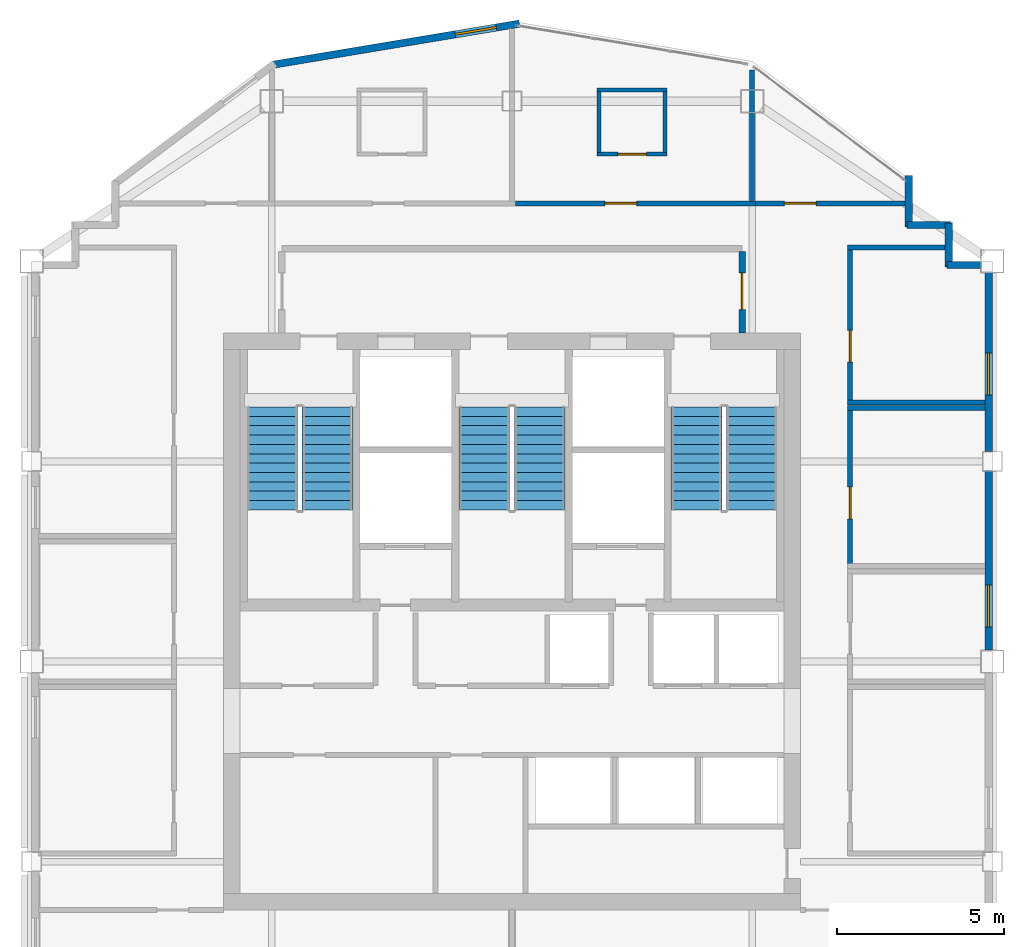
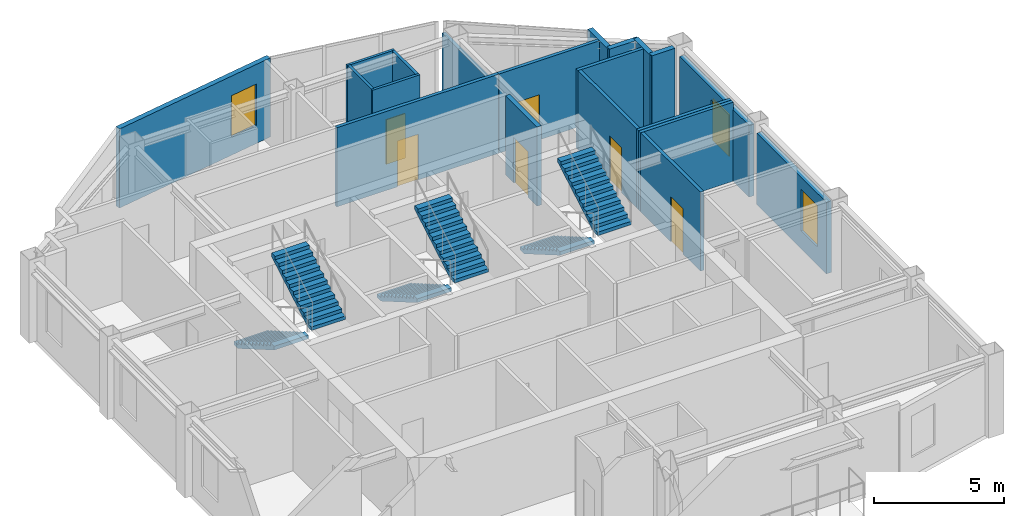
# One storey, part 7 of 8: 20 walls, 6 doors, 6 stair flights, 3 windows, 9 openings, 3 elements without a shape of their own.
"""IFC4 building model written with IfcOpenShell, lengths in metres."""

import ifcopenshell
import ifcopenshell.guid

model = None  # the IFC model being written
_history = None  # IfcOwnerHistory: only IFC2X3 demands one
_inside = {}  # id of a spatial element -> (the spatial element, [elements in it])
_under = {}  # id of a project, library or spatial element -> (it, [spatial elements below it])
_declared = {}  # id of a project -> (the project, [libraries it declares])
_typed = {}  # id of a type object -> (the type object, [elements of that type])
_made_of = {}  # id of a material, layer set ... -> (it, [elements and type objects made of it])


def new_model(schema):
    """Start an empty IFC model of exactly this schema.

    Asked for "IFC4X3", IfcOpenShell would pick the latest addendum, in which some entities
    have other attributes; the version numbers below select the first issue.
    IFC2X3 requires an IfcOwnerHistory on every rooted entity: one is made here for all.
    """
    global model, _history
    if schema == "IFC4X3":
        model = ifcopenshell.file(schema_version=(4, 3, 0, 0))
    else:
        model = ifcopenshell.file(schema=schema)
    _inside.clear()
    _under.clear()
    _declared.clear()
    _typed.clear()
    _made_of.clear()
    _history = None
    if model.schema == "IFC2X3":
        org = make("IfcOrganization", Name="unknown")
        user = make(
            "IfcPersonAndOrganization",
            ThePerson=make("IfcPerson", FamilyName="unknown"),
            TheOrganization=org,
        )
        app = make(
            "IfcApplication",
            ApplicationDeveloper=org,
            Version="unknown",
            ApplicationFullName="unknown",
            ApplicationIdentifier="unknown",
        )
        _history = make(
            "IfcOwnerHistory",
            OwningUser=user,
            OwningApplication=app,
            ChangeAction="ADDED",
            CreationDate=0,
        )
    return model


def make(cls, **values):
    """One entity of the class cls with the attributes given. An attribute that is None is left unset."""
    return model.create_entity(
        cls, **{name: value for name, value in values.items() if value is not None}
    )


def rooted(cls, **values):
    """An entity with a GlobalId (a new one), such as an element, a storey or a relation."""
    return make(cls, GlobalId=ifcopenshell.guid.new(), OwnerHistory=_history, **values)


def si_unit(unit_type, name, prefix=None):
    """IfcSIUnit, for example si_unit("LENGTHUNIT", "METRE", prefix="MILLI")."""
    return make("IfcSIUnit", UnitType=unit_type, Prefix=prefix, Name=name)


def assignment(units):
    """IfcUnitAssignment: the units of a project."""
    return None if units is None else make("IfcUnitAssignment", Units=units)


def point(xyz):
    """IfcCartesianPoint."""
    return None if xyz is None else make("IfcCartesianPoint", Coordinates=xyz)


def direction(xyz):
    """IfcDirection."""
    return None if xyz is None else make("IfcDirection", DirectionRatios=xyz)


def frame(location, z_axis=None, x_axis=None):
    """IfcAxis2Placement3D, a coordinate frame: its origin and axes. An axis left out is left unset."""
    return make(
        "IfcAxis2Placement3D",
        Location=point(location),
        Axis=direction(z_axis),
        RefDirection=direction(x_axis),
    )


def frame_2d(location, x_axis=None):
    """IfcAxis2Placement2D, a coordinate frame in the plane: its origin and x axis."""
    return make(
        "IfcAxis2Placement2D", Location=point(location), RefDirection=direction(x_axis)
    )


def origin():
    """The frame at (0, 0, 0) with its axes left unset."""
    return frame((0.0, 0.0, 0.0))


def place(relative_to, where):
    """IfcLocalPlacement: puts the frame where relative to a parent placement (None: the world)."""
    return make(
        "IfcLocalPlacement", PlacementRelTo=relative_to, RelativePlacement=where
    )


def context(
    kind, dimensions, precision=None, world=None, true_north=None, identifier=None
):
    """IfcGeometricRepresentationContext, for example the 3D "Model" context."""
    return make(
        "IfcGeometricRepresentationContext",
        ContextIdentifier=identifier,
        ContextType=kind,
        CoordinateSpaceDimension=dimensions,
        Precision=precision,
        WorldCoordinateSystem=world,
        TrueNorth=true_north,
    )


def subcontext(parent, identifier, kind, view, scale=None):
    """IfcGeometricRepresentationSubContext, for example "Body" below "Model"."""
    return make(
        "IfcGeometricRepresentationSubContext",
        ContextIdentifier=identifier,
        ContextType=kind,
        ParentContext=parent,
        TargetScale=scale,
        TargetView=view,
    )


def project(units=None, contexts=None):
    """IfcProject with its units and contexts."""
    return rooted(
        "IfcProject",
        Name="project",
        RepresentationContexts=contexts,
        UnitsInContext=assignment(units),
    )


def spatial(cls, under=None, at=None, **own):
    """A site, building, storey or space (cls), placed at a placement, below another one or the project."""
    s = rooted(cls, ObjectPlacement=at, **own)
    if under is not None:
        _under.setdefault(under.id(), (under, []))[1].append(s)
    return s


def polyline(points):
    """IfcPolyline through the points."""
    return make("IfcPolyline", Points=[point(p) for p in points])


def profile(cls, at=None, kind="AREA", **sizes):
    """A parametric profile (cls). Its sizes go by their IFC names, for example OverallWidth=200.0."""
    return make(cls, ProfileType=kind, Position=at, **sizes)


def rectangle(**sizes):
    """IfcRectangleProfileDef."""
    return profile("IfcRectangleProfileDef", **sizes)


def outline(outer, holes=None, kind="AREA"):
    """IfcArbitraryClosedProfileDef: a profile drawn as a closed curve; with holes, ...WithVoids."""
    if holes is None:
        return make("IfcArbitraryClosedProfileDef", ProfileType=kind, OuterCurve=outer)
    return make(
        "IfcArbitraryProfileDefWithVoids",
        ProfileType=kind,
        OuterCurve=outer,
        InnerCurves=holes,
    )


def extrude(swept, where, along, depth):
    """IfcExtrudedAreaSolid: the profile swept, set in the frame where, extruded along a direction by depth."""
    return make(
        "IfcExtrudedAreaSolid",
        SweptArea=swept,
        Position=where,
        ExtrudedDirection=direction(along),
        Depth=depth,
    )


def shape(context_of_items, identifier, shape_type, items):
    """IfcShapeRepresentation: the items that make up one representation, for example the "Body"."""
    return make(
        "IfcShapeRepresentation",
        ContextOfItems=context_of_items,
        RepresentationIdentifier=identifier,
        RepresentationType=shape_type,
        Items=items,
    )


def material(Name=None, Category=None):
    """IfcMaterial."""
    return make("IfcMaterial", Name=Name, Category=Category)


def layer(
    of_material, thickness, ventilated=None, Name=None, Category=None, Priority=None
):
    """IfcMaterialLayer: one layer of a wall or slab, of a material (None: an air gap)."""
    return make(
        "IfcMaterialLayer",
        Material=of_material,
        LayerThickness=thickness,
        IsVentilated=ventilated,
        Name=Name,
        Category=Category,
        Priority=Priority,
    )


def layer_set(layers, Name=None):
    """IfcMaterialLayerSet."""
    return make("IfcMaterialLayerSet", MaterialLayers=layers, LayerSetName=Name)


def made_of(thing, what):
    """Note that an element or type object is made of a material, layer set ...; save() writes the relation."""
    if what is not None:
        _made_of.setdefault(what.id(), (what, []))[1].append(thing)
    return thing


def type_object(cls, material=None, **own):
    """A type object (cls), such as IfcWallType, which elements share."""
    return made_of(rooted(cls, **own), material)


def element(
    cls,
    number,
    at=None,
    inside=None,
    cuts=None,
    type_object=None,
    material=None,
    context=None,
    identifier="Body",
    shape_type=None,
    held_by="IfcProductDefinitionShape",
    body=None,
    shapes=None,
    **own,
):
    """One element of the class cls, such as IfcWall. Its Tag is "e" and its number.

    at: its placement. inside: the storey or other place that contains it. cuts: it is an
    opening in that element (IfcRelVoidsElement). A single representation is given by context,
    identifier, shape_type and body (its items); several are given by shapes. held_by: the class
    of the entity that holds the representations. save() writes the other relations.
    """
    e = rooted(cls, Tag="e%d" % number, ObjectPlacement=at, **own)
    if body is not None:
        shapes = [shape(context, identifier, shape_type, body)]
    if shapes is not None:
        e.Representation = make(held_by, Representations=shapes)
    if inside is not None:
        _inside.setdefault(inside.id(), (inside, []))[1].append(e)
    if cuts is not None:
        rooted(
            "IfcRelVoidsElement", RelatingBuildingElement=cuts, RelatedOpeningElement=e
        )
    if type_object is not None:
        _typed.setdefault(type_object.id(), (type_object, []))[1].append(e)
    return made_of(e, material)


def fill(opening, filler):
    """IfcRelFillsElement: the door or window that sits in an opening."""
    return rooted(
        "IfcRelFillsElement",
        RelatingOpeningElement=opening,
        RelatedBuildingElement=filler,
    )


def aggregate(whole, parts):
    """IfcRelAggregates: a whole, such as a stair, and the parts it consists of."""
    return rooted("IfcRelAggregates", RelatingObject=whole, RelatedObjects=parts)


def save(model, path):
    """Write the relations noted so far, then the file.

    IfcRelAggregates (storeys below a building ...), IfcRelContainedInSpatialStructure (elements
    in a storey), IfcRelDefinesByType, IfcRelAssociatesMaterial and IfcRelDeclares: one each for
    every whole, place, type object, material and project.
    """
    for whole, parts in _under.values():
        aggregate(whole, parts)
    for where, things in _inside.values():
        rooted(
            "IfcRelContainedInSpatialStructure",
            RelatedElements=things,
            RelatingStructure=where,
        )
    for kind, things in _typed.values():
        rooted("IfcRelDefinesByType", RelatedObjects=things, RelatingType=kind)
    for what, things in _made_of.values():
        rooted("IfcRelAssociatesMaterial", RelatedObjects=things, RelatingMaterial=what)
    for by, libraries in _declared.values():
        rooted("IfcRelDeclares", RelatingContext=by, RelatedDefinitions=libraries)
    model.write(path)


model = new_model("IFC4")

# Units and contexts
model_context = context("Model", 3, precision=1e-05, world=origin(), true_north=direction((0.0, 1.0)))
body_context = subcontext(model_context, "Body", "Model", "MODEL_VIEW")
ifc_project = project(units=[si_unit("LENGTHUNIT", "METRE"), si_unit("AREAUNIT", "SQUARE_METRE"), si_unit("VOLUMEUNIT", "CUBIC_METRE"), si_unit("PLANEANGLEUNIT", "RADIAN"), si_unit("MASSUNIT", "GRAM", prefix="KILO")], contexts=[model_context])

# Site, building, storey
site_placement = place(None, origin())
site = spatial("IfcSite", under=ifc_project, at=site_placement, CompositionType="ELEMENT")
building_placement = place(site_placement, origin())
building = spatial("IfcBuilding", under=site, at=building_placement, Name="Haolan Belvedere Tower", CompositionType="ELEMENT")
storey_placement = place(building_placement, frame((0.0, 0.0, 293.89990234375)))
storey = spatial("IfcBuildingStorey", under=building, at=storey_placement, Name="L74", CompositionType="ELEMENT", Elevation=293.89990234375)

# Wall, opening, window
ifc_material_1 = material(Name="Precast concrete C40/50", Category="concrete")
ifc_layer_1 = layer(ifc_material_1, 0.219970703125, Name="Precast concrete C40/50")
ifc_layer_set_1 = layer_set([ifc_layer_1], Name="Precast concrete C40/50")
wall_type_1 = type_object("IfcWallType", Name="WL-EXT-220", PredefinedType="SOLIDWALL", material=ifc_layer_set_1)
wall_1_placement = place(storey_placement, frame((52.68994140625, 33.94189453125, 0.0), z_axis=(0.0, 0.0, 1.0), x_axis=(0.0, 1.0, 0.0)))
wall_1 = element("IfcWall", 1, at=wall_1_placement, inside=storey, type_object=wall_type_1, Name="L74 pale-metal exterior spandrel wall 3.3", PredefinedType="SOLIDWALL", context=body_context, shape_type="SweptSolid", body=[
    extrude(rectangle(XDim=5.3662109375, YDim=0.219970703125, at=frame_2d((2.68310546875, 0.0))), origin(), (0.0, 0.0, 1.0), 3.364990234375),
])
opening_1_placement = place(wall_1_placement, frame((0.699951171875, 0.0, 0.85009765625)))
opening_1 = element("IfcOpeningElement", 2, at=opening_1_placement, cuts=wall_1, Name="Opening W-04", PredefinedType="OPENING", context=body_context, shape_type="SweptSolid", body=[
    extrude(rectangle(XDim=1.25, YDim=1.949951171875, at=frame_2d((0.625, 0.97509765625))), frame((0.0, 0.119873046875, 0.0), z_axis=(0.0, -1.0, 0.0), x_axis=(1.0, 0.0, 0.0)), (0.0, 0.0, 1.0), 0.239990234375),
])
ifc_material_2 = material(Name="Anodised aluminium 6063-T6 and Low-E glass", Category="aluminium")
window_type = type_object("IfcWindowType", Name="WN-DECO-Z4", PartitioningType="SINGLE_PANEL", PredefinedType="WINDOW", material=ifc_material_2)
window_1_placement = place(opening_1_placement, origin())
window_1 = element("IfcWindow", 3, at=window_1_placement, inside=storey, type_object=window_type, Name="L74 Art Deco chevron window 1", OverallHeight=1.949951171875, OverallWidth=1.25, PartitioningType="SINGLE_PANEL", PredefinedType="WINDOW", context=body_context, shape_type="SweptSolid", body=[
    extrude(rectangle(XDim=1.25, YDim=1.949951171875, at=frame_2d((0.625, 0.97509765625))), frame((0.0, 0.030029296875, 0.0), z_axis=(0.0, -1.0, 0.0), x_axis=(1.0, 0.0, 0.0)), (0.0, 0.0, 1.0), 0.06005859375),
])
fill(opening_1, window_1)

wall_2_placement = place(storey_placement, frame((52.68994140625, 39.89208984375, 0.0), z_axis=(0.0, 0.0, 1.0), x_axis=(0.0, 1.0, 0.0)))
wall_2 = element("IfcWall", 4, at=wall_2_placement, inside=storey, type_object=wall_type_1, Name="L74 pale-metal exterior spandrel wall 3.4", PredefinedType="SOLIDWALL", context=body_context, shape_type="SweptSolid", body=[
    extrude(rectangle(XDim=5.365966796875, YDim=0.219970703125, at=frame_2d((2.68310546875, 0.0))), origin(), (0.0, 0.0, 1.0), 3.364990234375),
])
opening_2_placement = place(wall_2_placement, frame((1.702880859375, 0.0, 0.85009765625)))
opening_2 = element("IfcOpeningElement", 5, at=opening_2_placement, cuts=wall_2, Name="Opening W-04", PredefinedType="OPENING", context=body_context, shape_type="SweptSolid", body=[
    extrude(rectangle(XDim=1.25, YDim=1.949951171875, at=frame_2d((0.625, 0.97509765625))), frame((0.0, 0.119873046875, 0.0), z_axis=(0.0, -1.0, 0.0), x_axis=(1.0, 0.0, 0.0)), (0.0, 0.0, 1.0), 0.239990234375),
])
window_2_placement = place(opening_2_placement, origin())
window_2 = element("IfcWindow", 6, at=window_2_placement, inside=storey, type_object=window_type, Name="L74 Art Deco chevron window 1", OverallHeight=1.949951171875, OverallWidth=1.25, PartitioningType="SINGLE_PANEL", PredefinedType="WINDOW", context=body_context, shape_type="SweptSolid", body=[
    extrude(rectangle(XDim=1.25, YDim=1.949951171875, at=frame_2d((0.625, 0.97509765625))), frame((0.0, 0.030029296875, 0.0), z_axis=(0.0, -1.0, 0.0), x_axis=(1.0, 0.0, 0.0)), (0.0, 0.0, 1.0), 0.06005859375),
])
fill(opening_2, window_2)

# Walls
wall_3_placement = place(storey_placement, frame((52.4580078125, 45.489990234375, 0.0), z_axis=(0.0, 0.0, 1.0), x_axis=(-1.0, 0.0, 0.0)))
element("IfcWall", 7, at=wall_3_placement, inside=storey, type_object=wall_type_1, Name="L74 pale-metal exterior spandrel wall 4.1", PredefinedType="SOLIDWALL", context=body_context, shape_type="SweptSolid", body=[
    extrude(rectangle(XDim=1.02294921875, YDim=0.219970703125, at=frame_2d((0.511474609375, 0.0))), origin(), (0.0, 0.0, 1.0), 3.72021484375),
])
wall_4_placement = place(storey_placement, frame((51.489990234375, 45.43505859375, 0.0), z_axis=(0.0, 0.0, 1.0), x_axis=(0.0, 1.0, 0.0)))
element("IfcWall", 8, at=wall_4_placement, inside=storey, type_object=wall_type_1, Name="L74 pale-metal exterior spandrel wall 5.1", PredefinedType="SOLIDWALL", context=body_context, shape_type="SweptSolid", body=[
    extrude(rectangle(XDim=1.31005859375, YDim=0.219970703125, at=frame_2d((0.655029296875, 0.0))), origin(), (0.0, 0.0, 1.0), 3.72021484375),
])
wall_5_placement = place(storey_placement, frame((51.544921875, 46.68994140625, 0.0), z_axis=(0.0, 0.0, 1.0), x_axis=(-1.0, 0.0, 0.0)))
element("IfcWall", 9, at=wall_5_placement, inside=storey, type_object=wall_type_1, Name="L74 pale-metal exterior spandrel wall 6.1", PredefinedType="SOLIDWALL", context=body_context, shape_type="SweptSolid", body=[
    extrude(rectangle(XDim=1.309814453125, YDim=0.219970703125, at=frame_2d((0.65478515625, 0.0))), origin(), (0.0, 0.0, 1.0), 3.72021484375),
])
wall_6_placement = place(storey_placement, frame((50.2900390625, 46.635009765625, 0.0), z_axis=(0.0, 0.0, 1.0), x_axis=(0.0, 1.0, 0.0)))
element("IfcWall", 10, at=wall_6_placement, inside=storey, type_object=wall_type_1, Name="L74 pale-metal exterior spandrel wall 7.1", PredefinedType="SOLIDWALL", context=body_context, shape_type="SweptSolid", body=[
    extrude(rectangle(XDim=1.534912109375, YDim=0.219970703125, at=frame_2d((0.767578125, 0.0))), origin(), (0.0, 0.0, 1.0), 3.72021484375),
])

# Wall, opening, window
wall_7_placement = place(storey_placement, frame((38.621826171875, 52.7255859375, 0.0), z_axis=(0.0, 0.0, 1.0), x_axis=(-0.986390420428, -0.164420006349, 0.0)))
wall_7 = element("IfcWall", 11, at=wall_7_placement, inside=storey, type_object=wall_type_1, Name="L74 pale-metal exterior spandrel wall 10.1", PredefinedType="SOLIDWALL", context=body_context, shape_type="SweptSolid", body=[
    extrude(rectangle(XDim=7.5341796875, YDim=0.219970703125, at=frame_2d((3.76708984375, 0.0))), origin(), (0.0, 0.0, 1.0), 3.72021484375),
])
opening_3_placement = place(wall_7_placement, frame((0.699951171875, 0.0, 0.85009765625)))
opening_3 = element("IfcOpeningElement", 12, at=opening_3_placement, cuts=wall_7, Name="Opening W-04", PredefinedType="OPENING", context=body_context, shape_type="SweptSolid", body=[
    extrude(rectangle(XDim=1.25, YDim=1.949951171875, at=frame_2d((0.625, 0.97509765625))), frame((0.0, 0.119873046875, 0.0), z_axis=(0.0, -1.0, 0.0), x_axis=(1.0, 0.0, 0.0)), (0.0, 0.0, 1.0), 0.239990234375),
])
window_3_placement = place(opening_3_placement, origin())
window_3 = element("IfcWindow", 13, at=window_3_placement, inside=storey, type_object=window_type, Name="L74 Art Deco chevron window 1", OverallHeight=1.949951171875, OverallWidth=1.25, PartitioningType="SINGLE_PANEL", PredefinedType="WINDOW", context=body_context, shape_type="SweptSolid", body=[
    extrude(rectangle(XDim=1.25, YDim=1.949951171875, at=frame_2d((0.625, 0.97509765625))), frame((0.0, 0.030029296875, 0.0), z_axis=(0.0, -1.0, 0.0), x_axis=(1.0, 0.0, 0.0)), (0.0, 0.0, 1.0), 0.06005859375),
])
fill(opening_3, window_3)

# Wall, opening, door
ifc_material_3 = material(Name="Concrete C40/50", Category="concrete")
ifc_layer_2 = layer(ifc_material_3, 0.199951171875, Name="Concrete C40/50")
ifc_layer_set_2 = layer_set([ifc_layer_2], Name="Concrete C40/50")
wall_type_2 = type_object("IfcWallType", Name="WL-FIRE-200", PredefinedType="SOLIDWALL", material=ifc_layer_set_2)
wall_8_placement = place(storey_placement, frame((45.300048828125, 43.449951171875, 0.0), z_axis=(0.0, 0.0, 1.0), x_axis=(0.0, 1.0, 0.0)))
wall_8 = element("IfcWall", 14, at=wall_8_placement, inside=storey, type_object=wall_type_2, Name="L74 interior partition IW-L74-FFL-E", PredefinedType="SOLIDWALL", context=body_context, shape_type="SweptSolid", body=[
    extrude(rectangle(XDim=2.445068359375, YDim=0.199951171875, at=frame_2d((1.22265625, 0.0))), origin(), (0.0, 0.0, 1.0), 3.72021484375),
])
opening_4_placement = place(wall_8_placement, frame((0.699951171875, 0.0, 0.0)))
opening_4 = element("IfcOpeningElement", 15, at=opening_4_placement, cuts=wall_8, Name="Opening FD-03", PredefinedType="OPENING", context=body_context, shape_type="SweptSolid", body=[
    extrude(rectangle(XDim=1.10009765625, YDim=2.14990234375, at=frame_2d((0.550048828125, 1.074951171875))), frame((0.0, 0.10986328125, 0.0), z_axis=(0.0, -1.0, 0.0), x_axis=(1.0, 0.0, 0.0)), (0.0, 0.0, 1.0), 0.219970703125),
])
ifc_material_4 = material(Name="Galvanised fire-rated steel", Category="steel")
door_type_1 = type_object("IfcDoorType", Name="DR-FD90-1100", OperationType="NOTDEFINED", PredefinedType="DOOR", material=ifc_material_4)
door_1_placement = place(opening_4_placement, origin())
door_1 = element("IfcDoor", 16, at=door_1_placement, inside=storey, type_object=door_type_1, Name="L74 door ID-L74-FFL-DE", OperationType="SINGLE_SWING_RIGHT", OverallHeight=2.14990234375, OverallWidth=1.10009765625, PredefinedType="DOOR", context=body_context, shape_type="SweptSolid", body=[
    extrude(rectangle(XDim=1.10009765625, YDim=2.14990234375, at=frame_2d((0.550048828125, 1.074951171875))), frame((0.0, 0.02490234375, 0.0), z_axis=(0.0, -1.0, 0.0), x_axis=(1.0, 0.0, 0.0)), (0.0, 0.0, 1.0), 0.050048828125),
])
fill(opening_4, door_1)

# Wall
ifc_material_5 = material(Name="Double gypsum acoustic stud partition", Category="masonry")
ifc_layer_3 = layer(ifc_material_5, 0.14990234375, Name="Double gypsum acoustic stud partition")
ifc_layer_set_3 = layer_set([ifc_layer_3], Name="Double gypsum acoustic stud partition")
wall_type_3 = type_object("IfcWallType", Name="WL-PART-150", PredefinedType="PARTITIONING", material=ifc_layer_set_3)
wall_9_placement = place(storey_placement, frame((48.4599609375, 41.199951171875, 0.0), z_axis=(0.0, 0.0, 1.0), x_axis=(1.0, 0.0, 0.0)))
element("IfcWall", 17, at=wall_9_placement, inside=storey, type_object=wall_type_3, Name="L74 interior partition IW-L74-STY-N", PredefinedType="PARTITIONING", context=body_context, shape_type="SweptSolid", body=[
    extrude(rectangle(XDim=4.1279296875, YDim=0.14990234375, at=frame_2d((2.06396484375, 0.0))), origin(), (0.0, 0.0, 1.0), 3.72021484375),
])

# Wall, opening, door
wall_10_placement = place(storey_placement, frame((48.5400390625, 36.52001953125, 0.0), z_axis=(0.0, 0.0, 1.0), x_axis=(0.0, 1.0, 0.0)))
wall_10 = element("IfcWall", 18, at=wall_10_placement, inside=storey, type_object=wall_type_3, Name="L74 interior partition IW-L74-STY-W", PredefinedType="PARTITIONING", context=body_context, shape_type="SweptSolid", body=[
    extrude(rectangle(XDim=4.619873046875, YDim=0.14990234375, at=frame_2d((2.31005859375, 0.0))), origin(), (0.0, 0.0, 1.0), 3.72021484375),
])
opening_5_placement = place(wall_10_placement, frame((1.360107421875, 0.0, 0.0)))
opening_5 = element("IfcOpeningElement", 19, at=opening_5_placement, cuts=wall_10, Name="Opening ID-03", PredefinedType="OPENING", context=body_context, shape_type="SweptSolid", body=[
    extrude(rectangle(XDim=0.949951171875, YDim=2.1201171875, at=frame_2d((0.47509765625, 1.06005859375))), frame((0.0, 0.0849609375, 0.0), z_axis=(0.0, -1.0, 0.0), x_axis=(1.0, 0.0, 0.0)), (0.0, 0.0, 1.0), 0.169921875),
])
ifc_material_6 = material(Name="Painted solid-core timber", Category="wood")
door_type_2 = type_object("IfcDoorType", Name="DR-INT-950", OperationType="NOTDEFINED", PredefinedType="DOOR", material=ifc_material_6)
door_2_placement = place(opening_5_placement, origin())
door_2 = element("IfcDoor", 20, at=door_2_placement, inside=storey, type_object=door_type_2, Name="L74 door ID-L74-STY", OperationType="SINGLE_SWING_RIGHT", OverallHeight=2.1201171875, OverallWidth=0.949951171875, PredefinedType="DOOR", context=body_context, shape_type="SweptSolid", body=[
    extrude(rectangle(XDim=0.949951171875, YDim=2.1201171875, at=frame_2d((0.47509765625, 1.06005859375))), frame((0.0, 0.02490234375, 0.0), z_axis=(0.0, -1.0, 0.0), x_axis=(1.0, 0.0, 0.0)), (0.0, 0.0, 1.0), 0.050048828125),
])
fill(opening_5, door_2)

# Walls
wall_11_placement = place(storey_placement, frame((48.4599609375, 46.02001953125, 0.0), z_axis=(0.0, 0.0, 1.0), x_axis=(1.0, 0.0, 0.0)))
element("IfcWall", 21, at=wall_11_placement, inside=storey, type_object=wall_type_3, Name="L74 interior partition IW-L74-PNT-N", PredefinedType="PARTITIONING", context=body_context, shape_type="SweptSolid", body=[
    extrude(rectangle(XDim=2.927978515625, YDim=0.14990234375, at=frame_2d((1.4638671875, 0.0))), origin(), (0.0, 0.0, 1.0), 3.72021484375),
])
wall_12_placement = place(storey_placement, frame((48.4599609375, 41.360107421875, 0.0), z_axis=(0.0, 0.0, 1.0), x_axis=(1.0, 0.0, 0.0)))
element("IfcWall", 22, at=wall_12_placement, inside=storey, type_object=wall_type_3, Name="L74 interior partition IW-L74-PNT-S", PredefinedType="PARTITIONING", context=body_context, shape_type="SweptSolid", body=[
    extrude(rectangle(XDim=4.1279296875, YDim=0.14990234375, at=frame_2d((2.06396484375, 0.0))), origin(), (0.0, 0.0, 1.0), 3.72021484375),
])

# Wall, opening, door
wall_13_placement = place(storey_placement, frame((48.5400390625, 41.419921875, 0.0), z_axis=(0.0, 0.0, 1.0), x_axis=(0.0, 1.0, 0.0)))
wall_13 = element("IfcWall", 23, at=wall_13_placement, inside=storey, type_object=wall_type_3, Name="L74 interior partition IW-L74-PNT-W", PredefinedType="PARTITIONING", context=body_context, shape_type="SweptSolid", body=[
    extrude(rectangle(XDim=4.5400390625, YDim=0.14990234375, at=frame_2d((2.27001953125, 0.0))), origin(), (0.0, 0.0, 1.0), 3.72021484375),
])
opening_6_placement = place(wall_13_placement, frame((1.159912109375, 0.0, 0.0)))
opening_6 = element("IfcOpeningElement", 24, at=opening_6_placement, cuts=wall_13, Name="Opening ID-03", PredefinedType="OPENING", context=body_context, shape_type="SweptSolid", body=[
    extrude(rectangle(XDim=0.949951171875, YDim=2.1201171875, at=frame_2d((0.47509765625, 1.06005859375))), frame((0.0, 0.0849609375, 0.0), z_axis=(0.0, -1.0, 0.0), x_axis=(1.0, 0.0, 0.0)), (0.0, 0.0, 1.0), 0.169921875),
])
door_3_placement = place(opening_6_placement, origin())
door_3 = element("IfcDoor", 25, at=door_3_placement, inside=storey, type_object=door_type_2, Name="L74 door ID-L74-PNT", OperationType="SINGLE_SWING_LEFT", OverallHeight=2.1201171875, OverallWidth=0.949951171875, PredefinedType="DOOR", context=body_context, shape_type="SweptSolid", body=[
    extrude(rectangle(XDim=0.949951171875, YDim=2.1201171875, at=frame_2d((0.47509765625, 1.06005859375))), frame((0.0, 0.02490234375, 0.0), z_axis=(0.0, -1.0, 0.0), x_axis=(1.0, 0.0, 0.0)), (0.0, 0.0, 1.0), 0.050048828125),
])
fill(opening_6, door_3)

wall_14_placement = place(storey_placement, frame((38.501953125, 47.340087890625, 0.0), z_axis=(0.0, 0.0, 1.0), x_axis=(1.0, 0.0, 0.0)))
wall_14 = element("IfcWall", 26, at=wall_14_placement, inside=storey, type_object=wall_type_3, Name="L74 interior partition IW-L74-KN3-S", PredefinedType="PARTITIONING", context=body_context, shape_type="SweptSolid", body=[
    extrude(rectangle(XDim=7.197998046875, YDim=0.14990234375, at=frame_2d((3.59912109375, 0.0))), origin(), (0.0, 0.0, 1.0), 3.72021484375),
])
opening_7_placement = place(wall_14_placement, frame((2.684814453125, 0.0, 0.0)))
opening_7 = element("IfcOpeningElement", 27, at=opening_7_placement, cuts=wall_14, Name="Opening ID-02", PredefinedType="OPENING", context=body_context, shape_type="SweptSolid", body=[
    extrude(rectangle(XDim=0.949951171875, YDim=2.14990234375, at=frame_2d((0.47509765625, 1.074951171875))), frame((0.0, 0.0849609375, 0.0), z_axis=(0.0, -1.0, 0.0), x_axis=(1.0, 0.0, 0.0)), (0.0, 0.0, 1.0), 0.169921875),
])
ifc_material_7 = material(Name="Acoustic oak veneer fire-rated timber", Category="wood")
door_type_3 = type_object("IfcDoorType", Name="DR-GUEST-950", OperationType="NOTDEFINED", PredefinedType="DOOR", material=ifc_material_7)
door_4_placement = place(opening_7_placement, origin())
door_4 = element("IfcDoor", 28, at=door_4_placement, inside=storey, type_object=door_type_3, Name="L74 door ID-L74-KN3-ENT", OperationType="SINGLE_SWING_RIGHT", OverallHeight=2.14990234375, OverallWidth=0.949951171875, PredefinedType="DOOR", context=body_context, shape_type="SweptSolid", body=[
    extrude(rectangle(XDim=0.949951171875, YDim=2.14990234375, at=frame_2d((0.47509765625, 1.074951171875))), frame((0.0, 0.02490234375, 0.0), z_axis=(0.0, -1.0, 0.0), x_axis=(1.0, 0.0, 0.0)), (0.0, 0.0, 1.0), 0.050048828125),
])
fill(opening_7, door_4)

# Wall
wall_15_placement = place(storey_placement, frame((45.60009765625, 47.39990234375, 0.0), z_axis=(0.0, 0.0, 1.0), x_axis=(0.0, 1.0, 0.0)))
element("IfcWall", 29, at=wall_15_placement, inside=storey, type_object=wall_type_3, Name="L74 interior partition IW-L74-KN3-E", PredefinedType="PARTITIONING", context=body_context, shape_type="SweptSolid", body=[
    extrude(rectangle(XDim=3.93505859375, YDim=0.14990234375, at=frame_2d((1.967529296875, 0.0))), origin(), (0.0, 0.0, 1.0), 3.255126953125),
])

# Wall, opening, door
wall_16_placement = place(storey_placement, frame((45.701904296875, 47.340087890625, 0.0), z_axis=(0.0, 0.0, 1.0), x_axis=(1.0, 0.0, 0.0)))
wall_16 = element("IfcWall", 30, at=wall_16_placement, inside=storey, type_object=wall_type_3, Name="L74 interior partition IW-L74-KN4-S", PredefinedType="PARTITIONING", context=body_context, shape_type="SweptSolid", body=[
    extrude(rectangle(XDim=4.486083984375, YDim=0.14990234375, at=frame_2d((2.2431640625, 0.0))), origin(), (0.0, 0.0, 1.0), 3.72021484375),
])
opening_8_placement = place(wall_16_placement, frame((0.863037109375, 0.0, 0.0)))
opening_8 = element("IfcOpeningElement", 31, at=opening_8_placement, cuts=wall_16, Name="Opening ID-03", PredefinedType="OPENING", context=body_context, shape_type="SweptSolid", body=[
    extrude(rectangle(XDim=0.949951171875, YDim=2.1201171875, at=frame_2d((0.47509765625, 1.06005859375))), frame((0.0, 0.0849609375, 0.0), z_axis=(0.0, -1.0, 0.0), x_axis=(1.0, 0.0, 0.0)), (0.0, 0.0, 1.0), 0.169921875),
])
door_5_placement = place(opening_8_placement, origin())
door_5 = element("IfcDoor", 32, at=door_5_placement, inside=storey, type_object=door_type_2, Name="L74 door ID-L74-KN4", OperationType="SINGLE_SWING_LEFT", OverallHeight=2.1201171875, OverallWidth=0.949951171875, PredefinedType="DOOR", context=body_context, shape_type="SweptSolid", body=[
    extrude(rectangle(XDim=0.949951171875, YDim=2.1201171875, at=frame_2d((0.47509765625, 1.06005859375))), frame((0.0, 0.02490234375, 0.0), z_axis=(0.0, -1.0, 0.0), x_axis=(1.0, 0.0, 0.0)), (0.0, 0.0, 1.0), 0.050048828125),
])
fill(opening_8, door_5)

# Wall
ifc_material_8 = material(Name="Moisture-resistant gypsum tile partition", Category="masonry")
ifc_layer_4 = layer(ifc_material_8, 0.1201171875, Name="Moisture-resistant gypsum tile partition")
ifc_layer_set_4 = layer_set([ifc_layer_4], Name="Moisture-resistant gypsum tile partition")
wall_type_4 = type_object("IfcWallType", Name="WL-WET-120", PredefinedType="PARTITIONING", material=ifc_layer_set_4)
wall_17_placement = place(storey_placement, frame((40.949951171875, 50.72998046875, 0.0), z_axis=(0.0, 0.0, 1.0), x_axis=(1.0, 0.0, 0.0)))
element("IfcWall", 33, at=wall_17_placement, inside=storey, type_object=wall_type_4, Name="L74 interior partition IW-L74-KN3-BN", PredefinedType="PARTITIONING", context=body_context, shape_type="SweptSolid", body=[
    extrude(rectangle(XDim=2.10009765625, YDim=0.1201171875, at=frame_2d((1.050048828125, 0.0))), origin(), (0.0, 0.0, 1.0), 3.72021484375),
])

# Wall, opening, door
wall_18_placement = place(storey_placement, frame((40.949951171875, 48.81005859375, 0.0), z_axis=(0.0, 0.0, 1.0), x_axis=(1.0, 0.0, 0.0)))
wall_18 = element("IfcWall", 34, at=wall_18_placement, inside=storey, type_object=wall_type_4, Name="L74 interior partition IW-L74-KN3-BS", PredefinedType="PARTITIONING", context=body_context, shape_type="SweptSolid", body=[
    extrude(rectangle(XDim=2.10009765625, YDim=0.1201171875, at=frame_2d((1.050048828125, 0.0))), origin(), (0.0, 0.0, 1.0), 3.72021484375),
])
opening_9_placement = place(wall_18_placement, frame((0.625, 0.0, 0.0)))
opening_9 = element("IfcOpeningElement", 35, at=opening_9_placement, cuts=wall_18, Name="Opening ID-05", PredefinedType="OPENING", context=body_context, shape_type="SweptSolid", body=[
    extrude(rectangle(XDim=0.85009765625, YDim=2.10009765625, at=frame_2d((0.425048828125, 1.050048828125))), frame((0.0, 0.070068359375, 0.0), z_axis=(0.0, -1.0, 0.0), x_axis=(1.0, 0.0, 0.0)), (0.0, 0.0, 1.0), 0.14013671875),
])
ifc_material_9 = material(Name="Moisture-resistant lacquered timber", Category="wood")
door_type_4 = type_object("IfcDoorType", Name="DR-BATH-850", OperationType="NOTDEFINED", PredefinedType="DOOR", material=ifc_material_9)
door_6_placement = place(opening_9_placement, origin())
door_6 = element("IfcDoor", 36, at=door_6_placement, inside=storey, type_object=door_type_4, Name="L74 door ID-L74-KN3-BATH", OperationType="SINGLE_SWING_LEFT", OverallHeight=2.10009765625, OverallWidth=0.85009765625, PredefinedType="DOOR", context=body_context, shape_type="SweptSolid", body=[
    extrude(rectangle(XDim=0.85009765625, YDim=2.10009765625, at=frame_2d((0.425048828125, 1.050048828125))), frame((0.0, 0.02490234375, 0.0), z_axis=(0.0, -1.0, 0.0), x_axis=(1.0, 0.0, 0.0)), (0.0, 0.0, 1.0), 0.050048828125),
])
fill(opening_9, door_6)

# Walls
for number, where, z_axis, x_axis, name in (
    (37, (41.010009765625, 48.85498046875, 0.0), (0.0, 0.0, 1.0), (0.0, 1.0, 0.0), "L74 interior partition IW-L74-KN3-BW"),
    (38, (42.989990234375, 48.85498046875, 0.0), (0.0, 0.0, 1.0), (0.0, 1.0, 0.0), "L74 interior partition IW-L74-KN3-BE"),
):
    element("IfcWall", number, at=place(storey_placement, frame(where, z_axis=z_axis, x_axis=x_axis)), inside=storey, type_object=wall_type_4, Name=name, PredefinedType="PARTITIONING", context=body_context, shape_type="SweptSolid", body=[
        extrude(rectangle(XDim=1.830078125, YDim=0.1201171875, at=frame_2d((0.9150390625, 0.0))), origin(), (0.0, 0.0, 1.0), 3.72021484375),
    ])

# Stair, stair flights
stair_type = type_object("IfcStairType", Name="STR-DL-24R-163", PredefinedType="HALF_TURN_STAIR", material=ifc_material_3)
stair_1_placement = place(storey_placement, origin())
stair_1 = element("IfcStair", 39, at=stair_1_placement, inside=storey, type_object=stair_type, Name="L74 Smokeproof Core Exit Stair ST1", PredefinedType="HALF_TURN_STAIR")
stair_flight_type = type_object("IfcStairFlightType", Name="SFL-DL-12R-163", PredefinedType="STRAIGHT", material=ifc_material_3)
stair_flight_1_placement = place(storey_placement, frame((31.2099609375, 41.22998046875, 0.0), z_axis=(0.0, 0.0, 1.0), x_axis=(0.0, -1.0, 0.0)))
stair_flight_1 = element("IfcStairFlight", 40, at=stair_flight_1_placement, type_object=stair_flight_type, Name="ST1 flight 1", NumberOfRisers=12, NumberOfTreads=11, PredefinedType="STRAIGHT", RiserHeight=0.1625, TreadLength=0.28, context=body_context, shape_type="SweptSolid", body=[
    extrude(outline(polyline([(0.0, 0.0), (0.0, 0.16259765625), (0.280029296875, 0.16259765625), (0.280029296875, 0.324951171875), (0.56005859375, 0.324951171875), (0.56005859375, 0.487548828125), (0.840087890625, 0.487548828125), (0.840087890625, 0.64990234375), (1.1201171875, 0.64990234375), (1.1201171875, 0.8125), (1.39990234375, 0.8125), (1.39990234375, 0.97509765625), (1.679931640625, 0.97509765625), (1.679931640625, 1.137451171875), (1.9599609375, 1.137451171875), (1.9599609375, 1.300048828125), (2.239990234375, 1.300048828125), (2.239990234375, 1.46240234375), (2.52001953125, 1.46240234375), (2.52001953125, 1.625), (2.800048828125, 1.625), (2.800048828125, 1.78759765625), (3.080078125, 1.78759765625), (3.080078125, 1.949951171875), (3.080078125, 1.6142578125), (0.298583984375, 0.0), (0.0, 0.0)])), frame((0.0, 0.760009765625, 0.0), z_axis=(0.0, -1.0, 0.0), x_axis=(1.0, 0.0, 0.0)), (0.0, 0.0, 1.0), 1.52001953125),
])
stair_flight_2_placement = place(storey_placement, frame((32.8701171875, 38.14990234375, 1.9501953125), z_axis=(0.0, 0.0, 1.0), x_axis=(0.0, 1.0, 0.0)))
stair_flight_2 = element("IfcStairFlight", 41, at=stair_flight_2_placement, type_object=stair_flight_type, Name="ST1 flight 2", NumberOfRisers=12, NumberOfTreads=11, PredefinedType="STRAIGHT", RiserHeight=0.1625, TreadLength=0.28, context=body_context, shape_type="SweptSolid", body=[
    extrude(outline(polyline([(0.0, 0.0), (0.0, 0.16259765625), (0.280029296875, 0.16259765625), (0.280029296875, 0.324951171875), (0.56005859375, 0.324951171875), (0.56005859375, 0.487548828125), (0.840087890625, 0.487548828125), (0.840087890625, 0.64990234375), (1.1201171875, 0.64990234375), (1.1201171875, 0.8125), (1.39990234375, 0.8125), (1.39990234375, 0.97509765625), (1.679931640625, 0.97509765625), (1.679931640625, 1.137451171875), (1.9599609375, 1.137451171875), (1.9599609375, 1.300048828125), (2.239990234375, 1.300048828125), (2.239990234375, 1.46240234375), (2.52001953125, 1.46240234375), (2.52001953125, 1.625), (2.800048828125, 1.625), (2.800048828125, 1.78759765625), (3.080078125, 1.78759765625), (3.080078125, 1.949951171875), (3.080078125, 1.6142578125), (0.298583984375, 0.0), (0.0, 0.0)])), frame((0.0, 0.760009765625, 0.0), z_axis=(0.0, -1.0, 0.0), x_axis=(1.0, 0.0, 0.0)), (0.0, 0.0, 1.0), 1.52001953125),
])
aggregate(stair_1, [stair_flight_1, stair_flight_2])

stair_2_placement = place(storey_placement, origin())
stair_2 = element("IfcStair", 42, at=stair_2_placement, inside=storey, type_object=stair_type, Name="L74 Smokeproof Core Exit Stair ST3", PredefinedType="HALF_TURN_STAIR")
stair_flight_3_placement = place(storey_placement, frame((37.570068359375, 41.22998046875, 0.0), z_axis=(0.0, 0.0, 1.0), x_axis=(0.0, -1.0, 0.0)))
stair_flight_3 = element("IfcStairFlight", 43, at=stair_flight_3_placement, type_object=stair_flight_type, Name="ST3 flight 1", NumberOfRisers=12, NumberOfTreads=11, PredefinedType="STRAIGHT", RiserHeight=0.1625, TreadLength=0.28, context=body_context, shape_type="SweptSolid", body=[
    extrude(outline(polyline([(0.0, 0.0), (0.0, 0.16259765625), (0.280029296875, 0.16259765625), (0.280029296875, 0.324951171875), (0.56005859375, 0.324951171875), (0.56005859375, 0.487548828125), (0.840087890625, 0.487548828125), (0.840087890625, 0.64990234375), (1.1201171875, 0.64990234375), (1.1201171875, 0.8125), (1.39990234375, 0.8125), (1.39990234375, 0.97509765625), (1.679931640625, 0.97509765625), (1.679931640625, 1.137451171875), (1.9599609375, 1.137451171875), (1.9599609375, 1.300048828125), (2.239990234375, 1.300048828125), (2.239990234375, 1.46240234375), (2.52001953125, 1.46240234375), (2.52001953125, 1.625), (2.800048828125, 1.625), (2.800048828125, 1.78759765625), (3.080078125, 1.78759765625), (3.080078125, 1.949951171875), (3.080078125, 1.6142578125), (0.298583984375, 0.0), (0.0, 0.0)])), frame((0.0, 0.760009765625, 0.0), z_axis=(0.0, -1.0, 0.0), x_axis=(1.0, 0.0, 0.0)), (0.0, 0.0, 1.0), 1.52001953125),
])
stair_flight_4_placement = place(storey_placement, frame((39.22998046875, 38.14990234375, 1.9501953125), z_axis=(0.0, 0.0, 1.0), x_axis=(0.0, 1.0, 0.0)))
stair_flight_4 = element("IfcStairFlight", 44, at=stair_flight_4_placement, type_object=stair_flight_type, Name="ST3 flight 2", NumberOfRisers=12, NumberOfTreads=11, PredefinedType="STRAIGHT", RiserHeight=0.1625, TreadLength=0.28, context=body_context, shape_type="SweptSolid", body=[
    extrude(outline(polyline([(0.0, 0.0), (0.0, 0.16259765625), (0.280029296875, 0.16259765625), (0.280029296875, 0.324951171875), (0.56005859375, 0.324951171875), (0.56005859375, 0.487548828125), (0.840087890625, 0.487548828125), (0.840087890625, 0.64990234375), (1.1201171875, 0.64990234375), (1.1201171875, 0.8125), (1.39990234375, 0.8125), (1.39990234375, 0.97509765625), (1.679931640625, 0.97509765625), (1.679931640625, 1.137451171875), (1.9599609375, 1.137451171875), (1.9599609375, 1.300048828125), (2.239990234375, 1.300048828125), (2.239990234375, 1.46240234375), (2.52001953125, 1.46240234375), (2.52001953125, 1.625), (2.800048828125, 1.625), (2.800048828125, 1.78759765625), (3.080078125, 1.78759765625), (3.080078125, 1.949951171875), (3.080078125, 1.6142578125), (0.298583984375, 0.0), (0.0, 0.0)])), frame((0.0, 0.760009765625, 0.0), z_axis=(0.0, -1.0, 0.0), x_axis=(1.0, 0.0, 0.0)), (0.0, 0.0, 1.0), 1.52001953125),
])
aggregate(stair_2, [stair_flight_3, stair_flight_4])

stair_3_placement = place(storey_placement, origin())
stair_3 = element("IfcStair", 45, at=stair_3_placement, inside=storey, type_object=stair_type, Name="L74 Smokeproof Core Exit Stair ST2", PredefinedType="HALF_TURN_STAIR")
stair_flight_5_placement = place(storey_placement, frame((43.929931640625, 41.22998046875, 0.0), z_axis=(0.0, 0.0, 1.0), x_axis=(0.0, -1.0, 0.0)))
stair_flight_5 = element("IfcStairFlight", 46, at=stair_flight_5_placement, type_object=stair_flight_type, Name="ST2 flight 1", NumberOfRisers=12, NumberOfTreads=11, PredefinedType="STRAIGHT", RiserHeight=0.1625, TreadLength=0.28, context=body_context, shape_type="SweptSolid", body=[
    extrude(outline(polyline([(0.0, 0.0), (0.0, 0.16259765625), (0.280029296875, 0.16259765625), (0.280029296875, 0.324951171875), (0.56005859375, 0.324951171875), (0.56005859375, 0.487548828125), (0.840087890625, 0.487548828125), (0.840087890625, 0.64990234375), (1.1201171875, 0.64990234375), (1.1201171875, 0.8125), (1.39990234375, 0.8125), (1.39990234375, 0.97509765625), (1.679931640625, 0.97509765625), (1.679931640625, 1.137451171875), (1.9599609375, 1.137451171875), (1.9599609375, 1.300048828125), (2.239990234375, 1.300048828125), (2.239990234375, 1.46240234375), (2.52001953125, 1.46240234375), (2.52001953125, 1.625), (2.800048828125, 1.625), (2.800048828125, 1.78759765625), (3.080078125, 1.78759765625), (3.080078125, 1.949951171875), (3.080078125, 1.6142578125), (0.298583984375, 0.0), (0.0, 0.0)])), frame((0.0, 0.760009765625, 0.0), z_axis=(0.0, -1.0, 0.0), x_axis=(1.0, 0.0, 0.0)), (0.0, 0.0, 1.0), 1.52001953125),
])
stair_flight_6_placement = place(storey_placement, frame((45.590087890625, 38.14990234375, 1.9501953125), z_axis=(0.0, 0.0, 1.0), x_axis=(0.0, 1.0, 0.0)))
stair_flight_6 = element("IfcStairFlight", 47, at=stair_flight_6_placement, type_object=stair_flight_type, Name="ST2 flight 2", NumberOfRisers=12, NumberOfTreads=11, PredefinedType="STRAIGHT", RiserHeight=0.1625, TreadLength=0.28, context=body_context, shape_type="SweptSolid", body=[
    extrude(outline(polyline([(0.0, 0.0), (0.0, 0.16259765625), (0.280029296875, 0.16259765625), (0.280029296875, 0.324951171875), (0.56005859375, 0.324951171875), (0.56005859375, 0.487548828125), (0.840087890625, 0.487548828125), (0.840087890625, 0.64990234375), (1.1201171875, 0.64990234375), (1.1201171875, 0.8125), (1.39990234375, 0.8125), (1.39990234375, 0.97509765625), (1.679931640625, 0.97509765625), (1.679931640625, 1.137451171875), (1.9599609375, 1.137451171875), (1.9599609375, 1.300048828125), (2.239990234375, 1.300048828125), (2.239990234375, 1.46240234375), (2.52001953125, 1.46240234375), (2.52001953125, 1.625), (2.800048828125, 1.625), (2.800048828125, 1.78759765625), (3.080078125, 1.78759765625), (3.080078125, 1.949951171875), (3.080078125, 1.6142578125), (0.298583984375, 0.0), (0.0, 0.0)])), frame((0.0, 0.760009765625, 0.0), z_axis=(0.0, -1.0, 0.0), x_axis=(1.0, 0.0, 0.0)), (0.0, 0.0, 1.0), 1.52001953125),
])
aggregate(stair_3, [stair_flight_5, stair_flight_6])

save(model, "model.ifc")
